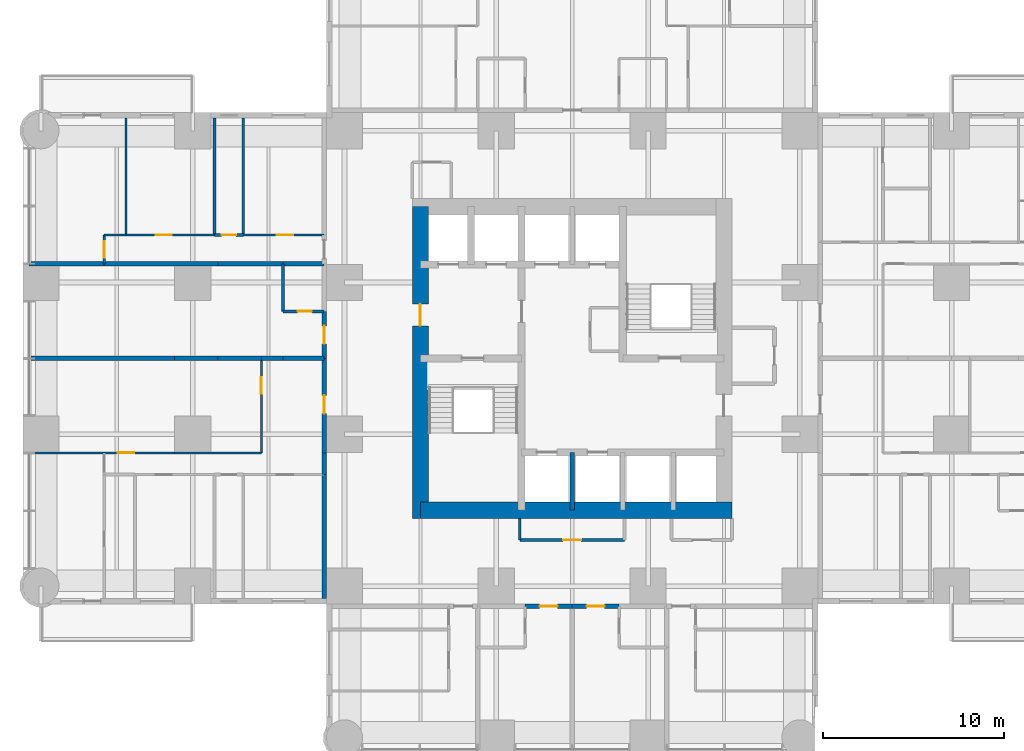
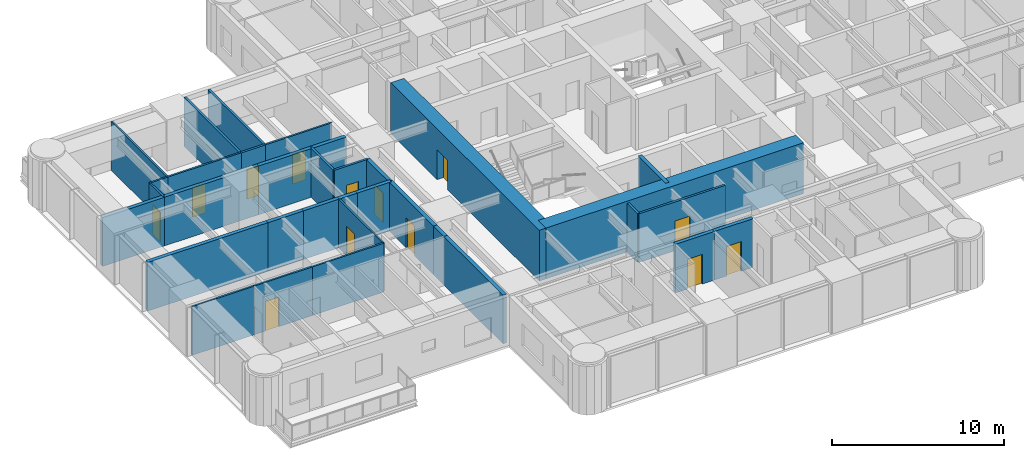
# One storey, part 7 of 14: 34 walls, 13 doors, 13 openings.
"""IFC4 building model written with IfcOpenShell, lengths in metres."""

from ifc_helpers import new_model, si_unit, direction, frame, frame_2d, origin, place, context, subcontext, project, spatial, rectangle, extrude, material, layer, layer_set, type_object, element, fill, save


model = new_model("IFC4")

# Units and contexts
model_context = context("Model", 3, precision=1e-05, world=origin(), true_north=direction((0.0, 1.0)))
body_context = subcontext(model_context, "Body", "Model", "MODEL_VIEW")
ifc_project = project(units=[si_unit("LENGTHUNIT", "METRE"), si_unit("AREAUNIT", "SQUARE_METRE"), si_unit("VOLUMEUNIT", "CUBIC_METRE"), si_unit("PLANEANGLEUNIT", "RADIAN"), si_unit("MASSUNIT", "GRAM", prefix="KILO")], contexts=[model_context])

# Site, building, storey
site_placement = place(None, origin())
site = spatial("IfcSite", under=ifc_project, at=site_placement, CompositionType="ELEMENT")
building_placement = place(site_placement, origin())
building = spatial("IfcBuilding", under=site, at=building_placement, Name="Torre Alcanfor", CompositionType="ELEMENT")
storey_placement = place(building_placement, frame((0.0, 0.0, 112.5)))
storey = spatial("IfcBuildingStorey", under=building, at=storey_placement, Name="L28", CompositionType="ELEMENT", Elevation=112.5)

# Wall, opening, door
ifc_material_1 = material(Name="Concrete block masonry, hollow blocks NMX-C-404 9 MPa", Category="masonry")
ifc_layer_1 = layer(ifc_material_1, 0.25)
ifc_layer_set_1 = layer_set([ifc_layer_1], Name="Apartment entrance wall 250 EI 60")
wall_type_1 = type_object("IfcWallType", Name="Apartment entrance wall 250 EI 60", PredefinedType="PARTITIONING", material=ifc_layer_set_1)
wall_1_placement = place(storey_placement, frame((32.0, 15.675048828125, 0.0), z_axis=(0.0, 0.0, 1.0), x_axis=(-1.0, 0.0, 0.0)))
wall_1 = element("IfcWall", 1, at=wall_1_placement, inside=storey, type_object=wall_type_1, Name="Partition L28-CORR / L28-S1A-STUDIO", PredefinedType="PARTITIONING", context=body_context, shape_type="SweptSolid", body=[
    extrude(rectangle(XDim=2.60009765625, YDim=0.25, at=frame_2d((1.300048828125, 0.0))), origin(), (0.0, 0.0, 1.0), 3.449951171875),
])
opening_1_placement = place(wall_1_placement, frame((0.800048828125, 0.0, 0.0)))
opening_1 = element("IfcOpeningElement", 2, at=opening_1_placement, cuts=wall_1, Name="Opening D-A1", PredefinedType="OPENING", context=body_context, shape_type="SweptSolid", body=[
    extrude(rectangle(XDim=1.0, YDim=2.10009765625, at=frame_2d((0.5, 1.050048828125))), frame((0.0, 0.135009765625, 0.0), z_axis=(0.0, -1.0, 0.0), x_axis=(1.0, 0.0, 0.0)), (0.0, 0.0, 1.0), 0.27001953125),
])
ifc_material_2 = material(Name="Galvanised steel sheet ASTM A653", Category="steel")
door_type_1 = type_object("IfcDoorType", Name="Apartment entrance door FD60 1000x2100", OperationType="SINGLE_SWING_LEFT", PredefinedType="DOOR", material=ifc_material_2)
door_1_placement = place(opening_1_placement, origin())
door_1 = element("IfcDoor", 3, at=door_1_placement, inside=storey, type_object=door_type_1, Name="Apartment entrance L28-S1A", OperationType="SINGLE_SWING_LEFT", OverallHeight=2.10009765625, OverallWidth=1.0, PredefinedType="DOOR", context=body_context, shape_type="SweptSolid", body=[
    extrude(rectangle(XDim=1.0, YDim=2.10009765625, at=frame_2d((0.5, 1.050048828125))), frame((0.0, 0.02490234375, 0.0), z_axis=(0.0, -1.0, 0.0), x_axis=(1.0, 0.0, 0.0)), (0.0, 0.0, 1.0), 0.050048828125),
])
fill(opening_1, door_1)

wall_2_placement = place(storey_placement, frame((29.39990234375, 15.675048828125, 0.0), z_axis=(0.0, 0.0, 1.0), x_axis=(-1.0, 0.0, 0.0)))
wall_2 = element("IfcWall", 4, at=wall_2_placement, inside=storey, type_object=wall_type_1, Name="Partition L28-CORR / L28-S2A-STUDIO", PredefinedType="PARTITIONING", context=body_context, shape_type="SweptSolid", body=[
    extrude(rectangle(XDim=2.599853515625, YDim=0.25, at=frame_2d((1.2998046875, 0.0))), origin(), (0.0, 0.0, 1.0), 3.449951171875),
])
opening_2_placement = place(wall_2_placement, frame((0.800048828125, 0.0, 0.0)))
opening_2 = element("IfcOpeningElement", 5, at=opening_2_placement, cuts=wall_2, Name="Opening D-A1", PredefinedType="OPENING", context=body_context, shape_type="SweptSolid", body=[
    extrude(rectangle(XDim=1.0, YDim=2.10009765625, at=frame_2d((0.5, 1.050048828125))), frame((0.0, 0.135009765625, 0.0), z_axis=(0.0, -1.0, 0.0), x_axis=(1.0, 0.0, 0.0)), (0.0, 0.0, 1.0), 0.27001953125),
])
door_2_placement = place(opening_2_placement, origin())
door_2 = element("IfcDoor", 6, at=door_2_placement, inside=storey, type_object=door_type_1, Name="Apartment entrance L28-S2A", OperationType="SINGLE_SWING_LEFT", OverallHeight=2.10009765625, OverallWidth=1.0, PredefinedType="DOOR", context=body_context, shape_type="SweptSolid", body=[
    extrude(rectangle(XDim=1.0, YDim=2.10009765625, at=frame_2d((0.5, 1.050048828125))), frame((0.0, 0.02490234375, 0.0), z_axis=(0.0, -1.0, 0.0), x_axis=(1.0, 0.0, 0.0)), (0.0, 0.0, 1.0), 0.050048828125),
])
fill(opening_2, door_2)

wall_3_placement = place(storey_placement, frame((15.675048828125, 24.1708984375, 0.0), z_axis=(0.0, 0.0, 1.0), x_axis=(0.0, 1.0, 0.0)))
wall_3 = element("IfcWall", 7, at=wall_3_placement, inside=storey, type_object=wall_type_1, Name="Partition L28-CORR / L28-W1-ZAG", PredefinedType="PARTITIONING", context=body_context, shape_type="SweptSolid", body=[
    extrude(rectangle(XDim=5.22900390625, YDim=0.25, at=frame_2d((2.614501953125, 0.0))), origin(), (0.0, 0.0, 1.0), 3.449951171875),
])
opening_3_placement = place(wall_3_placement, frame((2.178955078125, 0.0, 0.0)))
opening_3 = element("IfcOpeningElement", 8, at=opening_3_placement, cuts=wall_3, Name="Opening D-A1", PredefinedType="OPENING", context=body_context, shape_type="SweptSolid", body=[
    extrude(rectangle(XDim=1.0, YDim=2.10009765625, at=frame_2d((0.5, 1.050048828125))), frame((0.0, 0.135009765625, 0.0), z_axis=(0.0, -1.0, 0.0), x_axis=(1.0, 0.0, 0.0)), (0.0, 0.0, 1.0), 0.27001953125),
])
door_3_placement = place(opening_3_placement, origin())
door_3 = element("IfcDoor", 9, at=door_3_placement, inside=storey, type_object=door_type_1, Name="Apartment entrance L28-W1", OperationType="SINGLE_SWING_RIGHT", OverallHeight=2.10009765625, OverallWidth=1.0, PredefinedType="DOOR", context=body_context, shape_type="SweptSolid", body=[
    extrude(rectangle(XDim=1.0, YDim=2.10009765625, at=frame_2d((0.5, 1.050048828125))), frame((0.0, 0.02490234375, 0.0), z_axis=(0.0, -1.0, 0.0), x_axis=(1.0, 0.0, 0.0)), (0.0, 0.0, 1.0), 0.050048828125),
])
fill(opening_3, door_3)

# Walls
wall_4_placement = place(storey_placement, frame((15.675048828125, 22.970947265625, 0.0), z_axis=(0.0, 0.0, 1.0), x_axis=(0.0, 1.0, 0.0)))
element("IfcWall", 10, at=wall_4_placement, inside=storey, type_object=wall_type_1, Name="Partition L28-CORR / L28-W1-HALL", PredefinedType="PARTITIONING", context=body_context, shape_type="SweptSolid", body=[
    extrude(rectangle(XDim=1.199951171875, YDim=0.25, at=frame_2d((0.60009765625, 0.0))), origin(), (0.0, 0.0, 1.0), 3.449951171875),
])
wall_5_placement = place(storey_placement, frame((15.675048828125, 16.10009765625, 0.0), z_axis=(0.0, 0.0, 1.0), x_axis=(0.0, 1.0, 0.0)))
element("IfcWall", 11, at=wall_5_placement, inside=storey, type_object=wall_type_1, Name="Partition L28-CORR / L28-W1-BED3", PredefinedType="PARTITIONING", context=body_context, shape_type="SweptSolid", body=[
    extrude(rectangle(XDim=6.870849609375, YDim=0.25, at=frame_2d((3.435546875, 0.0))), origin(), (0.0, 0.0, 1.0), 3.449951171875),
])

# Wall, opening, door
wall_6_placement = place(storey_placement, frame((15.675048828125, 29.39990234375, 0.0), z_axis=(0.0, 0.0, 1.0), x_axis=(0.0, 1.0, 0.0)))
wall_6 = element("IfcWall", 12, at=wall_6_placement, inside=storey, type_object=wall_type_1, Name="Partition L28-CORR / L28-W2A-FOYER", PredefinedType="PARTITIONING", context=body_context, shape_type="SweptSolid", body=[
    extrude(rectangle(XDim=2.60009765625, YDim=0.25, at=frame_2d((1.300048828125, 0.0))), origin(), (0.0, 0.0, 1.0), 3.449951171875),
])
opening_4_placement = place(wall_6_placement, frame((0.800048828125, 0.0, 0.0)))
opening_4 = element("IfcOpeningElement", 13, at=opening_4_placement, cuts=wall_6, Name="Opening D-A1", PredefinedType="OPENING", context=body_context, shape_type="SweptSolid", body=[
    extrude(rectangle(XDim=1.0, YDim=2.10009765625, at=frame_2d((0.5, 1.050048828125))), frame((0.0, 0.135009765625, 0.0), z_axis=(0.0, -1.0, 0.0), x_axis=(1.0, 0.0, 0.0)), (0.0, 0.0, 1.0), 0.27001953125),
])
door_4_placement = place(opening_4_placement, origin())
door_4 = element("IfcDoor", 14, at=door_4_placement, inside=storey, type_object=door_type_1, Name="Apartment entrance L28-W2A", OperationType="SINGLE_SWING_LEFT", OverallHeight=2.10009765625, OverallWidth=1.0, PredefinedType="DOOR", context=body_context, shape_type="SweptSolid", body=[
    extrude(rectangle(XDim=1.0, YDim=2.10009765625, at=frame_2d((0.5, 1.050048828125))), frame((0.0, 0.02490234375, 0.0), z_axis=(0.0, -1.0, 0.0), x_axis=(1.0, 0.0, 0.0)), (0.0, 0.0, 1.0), 0.050048828125),
])
fill(opening_4, door_4)

ifc_material_3 = material(Name="Gypsum board on steel studs", Category="steel")
ifc_layer_2 = layer(ifc_material_3, 0.1201171875)
ifc_layer_set_2 = layer_set([ifc_layer_2], Name="Apartment partition 120")
wall_type_2 = type_object("IfcWallType", Name="Apartment partition 120", PredefinedType="PARTITIONING", material=ifc_layer_set_2)
wall_7_placement = place(storey_placement, frame((12.199951171875, 29.39990234375, 0.0), z_axis=(0.0, 0.0, 1.0), x_axis=(0.0, -1.0, 0.0)))
wall_7 = element("IfcWall", 15, at=wall_7_placement, inside=storey, type_object=wall_type_2, Name="Partition L28-W1-ZAG / L28-W1-KITCHEN", PredefinedType="PARTITIONING", context=body_context, shape_type="SweptSolid", body=[
    extrude(rectangle(XDim=5.22900390625, YDim=0.1201171875, at=frame_2d((2.614501953125, 0.0))), origin(), (0.0, 0.0, 1.0), 3.449951171875),
])
opening_5_placement = place(wall_7_placement, frame((1.050048828125, 0.0, 0.0)))
opening_5 = element("IfcOpeningElement", 16, at=opening_5_placement, cuts=wall_7, Name="Opening D-R1", PredefinedType="OPENING", context=body_context, shape_type="SweptSolid", body=[
    extrude(rectangle(XDim=0.89990234375, YDim=2.10009765625, at=frame_2d((0.449951171875, 1.050048828125))), frame((0.0, 0.070068359375, 0.0), z_axis=(0.0, -1.0, 0.0), x_axis=(1.0, 0.0, 0.0)), (0.0, 0.0, 1.0), 0.14013671875),
])
ifc_material_4 = material(Name="Timber", Category="wood")
door_type_2 = type_object("IfcDoorType", Name="Internal door 900x2100", OperationType="SINGLE_SWING_LEFT", PredefinedType="DOOR", material=ifc_material_4)
door_5_placement = place(opening_5_placement, frame((0.89990234375, 0.0, 0.0), z_axis=(0.0, 0.0, 1.0), x_axis=(-1.0, 0.0, 0.0)))
door_5 = element("IfcDoor", 17, at=door_5_placement, inside=storey, type_object=door_type_2, Name="Door L28-W1 kitchen", OperationType="SINGLE_SWING_RIGHT", OverallHeight=2.10009765625, OverallWidth=0.89990234375, PredefinedType="DOOR", context=body_context, shape_type="SweptSolid", body=[
    extrude(rectangle(XDim=0.89990234375, YDim=2.10009765625, at=frame_2d((0.449951171875, 1.050048828125))), frame((0.0, 0.025146484375, 0.0), z_axis=(0.0, -1.0, 0.0), x_axis=(1.0, 0.0, 0.0)), (0.0, 0.0, 1.0), 0.050048828125),
])
fill(opening_5, door_5)

# Wall
wall_8_placement = place(storey_placement, frame((7.39990234375, 24.1708984375, 0.0), z_axis=(0.0, 0.0, 1.0), x_axis=(1.0, 0.0, 0.0)))
element("IfcWall", 18, at=wall_8_placement, inside=storey, type_object=wall_type_2, Name="Partition L28-W1-KITCHEN / L28-W1-HALL", PredefinedType="PARTITIONING", context=body_context, shape_type="SweptSolid", body=[
    extrude(rectangle(XDim=4.800048828125, YDim=0.1201171875, at=frame_2d((2.39990234375, 0.0))), origin(), (0.0, 0.0, 1.0), 3.449951171875),
])

# Wall, opening, door
wall_9_placement = place(storey_placement, frame((3.5, 24.1708984375, 0.0), z_axis=(0.0, 0.0, 1.0), x_axis=(1.0, 0.0, 0.0)))
wall_9 = element("IfcWall", 19, at=wall_9_placement, inside=storey, type_object=wall_type_2, Name="Partition L28-W1-LIVING / L28-W1-HALL", PredefinedType="PARTITIONING", context=body_context, shape_type="SweptSolid", body=[
    extrude(rectangle(XDim=3.89990234375, YDim=0.1201171875, at=frame_2d((1.949951171875, 0.0))), origin(), (0.0, 0.0, 1.0), 3.449951171875),
])
opening_6_placement = place(wall_9_placement, frame((0.75, 0.0, 0.0)))
opening_6 = element("IfcOpeningElement", 20, at=opening_6_placement, cuts=wall_9, Name="Opening D-R1", PredefinedType="OPENING", context=body_context, shape_type="SweptSolid", body=[
    extrude(rectangle(XDim=0.89990234375, YDim=2.10009765625, at=frame_2d((0.449951171875, 1.050048828125))), frame((0.0, 0.070068359375, 0.0), z_axis=(0.0, -1.0, 0.0), x_axis=(1.0, 0.0, 0.0)), (0.0, 0.0, 1.0), 0.14013671875),
])
door_6_placement = place(opening_6_placement, origin())
door_6 = element("IfcDoor", 21, at=door_6_placement, inside=storey, type_object=door_type_2, Name="Door L28-W1 living", OperationType="SINGLE_SWING_RIGHT", OverallHeight=2.10009765625, OverallWidth=0.89990234375, PredefinedType="DOOR", context=body_context, shape_type="SweptSolid", body=[
    extrude(rectangle(XDim=0.89990234375, YDim=2.10009765625, at=frame_2d((0.449951171875, 1.050048828125))), frame((0.0, 0.02490234375, 0.0), z_axis=(0.0, -1.0, 0.0), x_axis=(1.0, 0.0, 0.0)), (0.0, 0.0, 1.0), 0.050048828125),
])
fill(opening_6, door_6)

# Wall
wall_10_placement = place(storey_placement, frame((-0.64990234375, 24.1708984375, 0.0), z_axis=(0.0, 0.0, 1.0), x_axis=(1.0, 0.0, 0.0)))
element("IfcWall", 22, at=wall_10_placement, inside=storey, type_object=wall_type_2, Name="Partition L28-W1-LIVING / L28-W1-MASTER", PredefinedType="PARTITIONING", context=body_context, shape_type="SweptSolid", body=[
    extrude(rectangle(XDim=4.14990234375, YDim=0.1201171875, at=frame_2d((2.074951171875, 0.0))), origin(), (0.0, 0.0, 1.0), 3.449951171875),
])

# Wall, opening, door
wall_11_placement = place(storey_placement, frame((11.199951171875, 36.22900390625, 0.0), z_axis=(0.0, 0.0, 1.0), x_axis=(1.0, 0.0, 0.0)))
wall_11 = element("IfcWall", 23, at=wall_11_placement, inside=storey, type_object=wall_type_2, Name="Partition L28-W2B-HALL / L28-W2B-BED2", PredefinedType="PARTITIONING", context=body_context, shape_type="SweptSolid", body=[
    extrude(rectangle(XDim=4.47509765625, YDim=0.1201171875, at=frame_2d((2.237548828125, 0.0))), origin(), (0.0, 0.0, 1.0), 3.449951171875),
])
opening_7_placement = place(wall_11_placement, frame((1.85009765625, 0.0, 0.0)))
opening_7 = element("IfcOpeningElement", 24, at=opening_7_placement, cuts=wall_11, Name="Opening D-R1", PredefinedType="OPENING", context=body_context, shape_type="SweptSolid", body=[
    extrude(rectangle(XDim=0.89990234375, YDim=2.10009765625, at=frame_2d((0.449951171875, 1.050048828125))), frame((0.0, 0.070068359375, 0.0), z_axis=(0.0, -1.0, 0.0), x_axis=(1.0, 0.0, 0.0)), (0.0, 0.0, 1.0), 0.14013671875),
])
door_7_placement = place(opening_7_placement, origin())
door_7 = element("IfcDoor", 25, at=door_7_placement, inside=storey, type_object=door_type_2, Name="Door L28-W2B bed2", OperationType="SINGLE_SWING_RIGHT", OverallHeight=2.10009765625, OverallWidth=0.89990234375, PredefinedType="DOOR", context=body_context, shape_type="SweptSolid", body=[
    extrude(rectangle(XDim=0.89990234375, YDim=2.10009765625, at=frame_2d((0.449951171875, 1.050048828125))), frame((0.0, 0.02490234375, 0.0), z_axis=(0.0, -1.0, 0.0), x_axis=(1.0, 0.0, 0.0)), (0.0, 0.0, 1.0), 0.050048828125),
])
fill(opening_7, door_7)

wall_12_placement = place(storey_placement, frame((4.699951171875, 36.22900390625, 0.0), z_axis=(0.0, 0.0, 1.0), x_axis=(1.0, 0.0, 0.0)))
wall_12 = element("IfcWall", 26, at=wall_12_placement, inside=storey, type_object=wall_type_2, Name="Partition L28-W2B-HALL / L28-W2B-MASTER", PredefinedType="PARTITIONING", context=body_context, shape_type="SweptSolid", body=[
    extrude(rectangle(XDim=4.900146484375, YDim=0.1201171875, at=frame_2d((2.4501953125, 0.0))), origin(), (0.0, 0.0, 1.0), 3.449951171875),
])
opening_8_placement = place(wall_12_placement, frame((1.64990234375, 0.0, 0.0)))
opening_8 = element("IfcOpeningElement", 27, at=opening_8_placement, cuts=wall_12, Name="Opening D-R1", PredefinedType="OPENING", context=body_context, shape_type="SweptSolid", body=[
    extrude(rectangle(XDim=0.89990234375, YDim=2.10009765625, at=frame_2d((0.449951171875, 1.050048828125))), frame((0.0, 0.070068359375, 0.0), z_axis=(0.0, -1.0, 0.0), x_axis=(1.0, 0.0, 0.0)), (0.0, 0.0, 1.0), 0.14013671875),
])
door_8_placement = place(opening_8_placement, origin())
door_8 = element("IfcDoor", 28, at=door_8_placement, inside=storey, type_object=door_type_2, Name="Door L28-W2B master", OperationType="SINGLE_SWING_LEFT", OverallHeight=2.10009765625, OverallWidth=0.89990234375, PredefinedType="DOOR", context=body_context, shape_type="SweptSolid", body=[
    extrude(rectangle(XDim=0.89990234375, YDim=2.10009765625, at=frame_2d((0.449951171875, 1.050048828125))), frame((0.0, 0.02490234375, 0.0), z_axis=(0.0, -1.0, 0.0), x_axis=(1.0, 0.0, 0.0)), (0.0, 0.0, 1.0), 0.050048828125),
])
fill(opening_8, door_8)

# Wall
wall_13_placement = place(storey_placement, frame((3.5, 36.22900390625, 0.0), z_axis=(0.0, 0.0, 1.0), x_axis=(1.0, 0.0, 0.0)))
element("IfcWall", 29, at=wall_13_placement, inside=storey, type_object=wall_type_2, Name="Partition L28-W2B-HALL / L28-W2B-KITCHEN", PredefinedType="PARTITIONING", context=body_context, shape_type="SweptSolid", body=[
    extrude(rectangle(XDim=1.199951171875, YDim=0.1201171875, at=frame_2d((0.60009765625, 0.0))), origin(), (0.0, 0.0, 1.0), 3.449951171875),
])

# Wall, opening, door
wall_14_placement = place(storey_placement, frame((3.5, 34.62890625, 0.0), z_axis=(0.0, 0.0, 1.0), x_axis=(0.0, 1.0, 0.0)))
wall_14 = element("IfcWall", 30, at=wall_14_placement, inside=storey, type_object=wall_type_2, Name="Partition L28-W2B-HALL / L28-W2B-LIVING", PredefinedType="PARTITIONING", context=body_context, shape_type="SweptSolid", body=[
    extrude(rectangle(XDim=1.60009765625, YDim=0.1201171875, at=frame_2d((0.800048828125, 0.0))), origin(), (0.0, 0.0, 1.0), 3.449951171875),
])
opening_9_placement = place(wall_14_placement, frame((0.35009765625, 0.0, 0.0)))
opening_9 = element("IfcOpeningElement", 31, at=opening_9_placement, cuts=wall_14, Name="Opening D-R1", PredefinedType="OPENING", context=body_context, shape_type="SweptSolid", body=[
    extrude(rectangle(XDim=0.89990234375, YDim=2.10009765625, at=frame_2d((0.449951171875, 1.050048828125))), frame((0.0, 0.070068359375, 0.0), z_axis=(0.0, -1.0, 0.0), x_axis=(1.0, 0.0, 0.0)), (0.0, 0.0, 1.0), 0.14013671875),
])
door_9_placement = place(opening_9_placement, origin())
door_9 = element("IfcDoor", 32, at=door_9_placement, inside=storey, type_object=door_type_2, Name="Door L28-W2B living", OperationType="SINGLE_SWING_LEFT", OverallHeight=2.10009765625, OverallWidth=0.89990234375, PredefinedType="DOOR", context=body_context, shape_type="SweptSolid", body=[
    extrude(rectangle(XDim=0.89990234375, YDim=2.10009765625, at=frame_2d((0.449951171875, 1.050048828125))), frame((0.0, 0.02490234375, 0.0), z_axis=(0.0, -1.0, 0.0), x_axis=(1.0, 0.0, 0.0)), (0.0, 0.0, 1.0), 0.050048828125),
])
fill(opening_9, door_9)

# Walls
wall_15_placement = place(storey_placement, frame((4.699951171875, 36.22900390625, 0.0), z_axis=(0.0, 0.0, 1.0), x_axis=(0.0, 1.0, 0.0)))
element("IfcWall", 33, at=wall_15_placement, inside=storey, type_object=wall_type_2, Name="Partition L28-W2B-MASTER / L28-W2B-KITCHEN", PredefinedType="PARTITIONING", context=body_context, shape_type="SweptSolid", body=[
    extrude(rectangle(XDim=6.470947265625, YDim=0.1201171875, at=frame_2d((3.2353515625, 0.0))), origin(), (0.0, 0.0, 1.0), 3.449951171875),
])
ifc_material_5 = material(Name="Concrete f'c 70 MPa", Category="concrete")
ifc_layer_3 = layer(ifc_material_5, 0.25)
ifc_layer_set_3 = layer_set([ifc_layer_3], Name="Core shaft wall 250 f'c70")
wall_type_3 = type_object("IfcWallType", Name="Core shaft wall 250 f'c70", PredefinedType="SHEAR", material=ifc_layer_set_3)
wall_16_placement = place(storey_placement, frame((29.39990234375, 21.0, 0.0), z_axis=(0.0, 0.0, 1.0), x_axis=(0.0, 1.0, 0.0)))
element("IfcWall", 34, at=wall_16_placement, inside=storey, type_object=wall_type_3, Name="Core wall X294S L28", PredefinedType="SHEAR", context=body_context, shape_type="SweptSolid", body=[
    extrude(rectangle(XDim=3.199951171875, YDim=0.25, at=frame_2d((1.60009765625, 0.0))), origin(), (0.0, 0.0, 1.0), 3.60009765625),
])
ifc_material_6 = material(Name="Concrete f'c 70 MPa", Category="concrete")
ifc_layer_4 = layer(ifc_material_6, 0.89990234375)
ifc_layer_set_4 = layer_set([ifc_layer_4], Name="Core wall 900 f'c70")
wall_type_4 = type_object("IfcWallType", Name="Core wall 900 f'c70", PredefinedType="SHEAR", material=ifc_layer_set_4)
wall_17_placement = place(storey_placement, frame((21.0, 21.0, 0.0), z_axis=(0.0, 0.0, 1.0), x_axis=(1.0, 0.0, 0.0)))
element("IfcWall", 35, at=wall_17_placement, inside=storey, type_object=wall_type_4, Name="Core wall OUT-S L28", PredefinedType="SHEAR", context=body_context, shape_type="SweptSolid", body=[
    extrude(rectangle(XDim=17.25, YDim=0.89990234375, at=frame_2d((8.625, 0.0))), origin(), (0.0, 0.0, 1.0), 3.60009765625),
])

# Wall, opening, door
wall_18_placement = place(storey_placement, frame((21.0, 37.800048828125, 0.0), z_axis=(0.0, 0.0, 1.0), x_axis=(0.0, -1.0, 0.0)))
wall_18 = element("IfcWall", 36, at=wall_18_placement, inside=storey, type_object=wall_type_4, Name="Core wall OUT-W L28", PredefinedType="SHEAR", context=body_context, shape_type="SweptSolid", body=[
    extrude(rectangle(XDim=17.25, YDim=0.89990234375, at=frame_2d((8.625, 0.0))), origin(), (0.0, 0.0, 1.0), 3.60009765625),
])
opening_10_placement = place(wall_18_placement, frame((5.39990234375, 0.0, 0.0)))
opening_10 = element("IfcOpeningElement", 37, at=opening_10_placement, cuts=wall_18, Name="Opening D-L1", PredefinedType="OPENING", context=body_context, shape_type="SweptSolid", body=[
    extrude(rectangle(XDim=1.199951171875, YDim=2.10009765625, at=frame_2d((0.60009765625, 1.050048828125))), frame((0.0, 0.4599609375, 0.0), z_axis=(0.0, -1.0, 0.0), x_axis=(1.0, 0.0, 0.0)), (0.0, 0.0, 1.0), 0.919921875),
])
ifc_material_7 = material(Name="Galvanised steel sheet ASTM A653", Category="steel")
door_type_3 = type_object("IfcDoorType", Name="Lobby door FD120 1200x2100", OperationType="SINGLE_SWING_LEFT", PredefinedType="DOOR", material=ifc_material_7)
door_10_placement = place(opening_10_placement, origin())
door_10 = element("IfcDoor", 38, at=door_10_placement, inside=storey, type_object=door_type_3, Name="Firefighting lobby door L28", OperationType="SINGLE_SWING_LEFT", OverallHeight=2.10009765625, OverallWidth=1.199951171875, PredefinedType="DOOR", context=body_context, shape_type="SweptSolid", body=[
    extrude(rectangle(XDim=1.199951171875, YDim=2.10009765625, at=frame_2d((0.60009765625, 1.050048828125))), frame((0.0, 0.02490234375, 0.0), z_axis=(0.0, -1.0, 0.0), x_axis=(1.0, 0.0, 0.0)), (0.0, 0.0, 1.0), 0.050048828125),
])
fill(opening_10, door_10)

# Walls
ifc_material_8 = material(Name="Concrete block masonry, hollow blocks NMX-C-404 9 MPa", Category="masonry")
ifc_layer_5 = layer(ifc_material_8, 0.25)
ifc_layer_set_5 = layer_set([ifc_layer_5], Name="Party wall 250 EI 60")
wall_type_5 = type_object("IfcWallType", Name="Party wall 250 EI 60", PredefinedType="PARTITIONING", material=ifc_layer_set_5)
wall_19_placement = place(storey_placement, frame((15.675048828125, 29.39990234375, 0.0), z_axis=(0.0, 0.0, 1.0), x_axis=(-1.0, 0.0, 0.0)))
element("IfcWall", 39, at=wall_19_placement, inside=storey, type_object=wall_type_5, Name="Partition L28-W1-ZAG / L28-W2A-FOYER", PredefinedType="PARTITIONING", context=body_context, shape_type="SweptSolid", body=[
    extrude(rectangle(XDim=2.275146484375, YDim=0.25, at=frame_2d((1.1376953125, 0.0))), origin(), (0.0, 0.0, 1.0), 3.449951171875),
])
wall_20_placement = place(storey_placement, frame((13.39990234375, 29.39990234375, 0.0), z_axis=(0.0, 0.0, 1.0), x_axis=(-1.0, 0.0, 0.0)))
element("IfcWall", 40, at=wall_20_placement, inside=storey, type_object=wall_type_5, Name="Partition L28-W1-ZAG / L28-W2A-KITCHEN", PredefinedType="PARTITIONING", context=body_context, shape_type="SweptSolid", body=[
    extrude(rectangle(XDim=1.199951171875, YDim=0.25, at=frame_2d((0.60009765625, 0.0))), origin(), (0.0, 0.0, 1.0), 3.449951171875),
])
wall_21_placement = place(storey_placement, frame((12.199951171875, 29.39990234375, 0.0), z_axis=(0.0, 0.0, 1.0), x_axis=(-1.0, 0.0, 0.0)))
element("IfcWall", 41, at=wall_21_placement, inside=storey, type_object=wall_type_5, Name="Partition L28-W1-KITCHEN / L28-W2A-KITCHEN", PredefinedType="PARTITIONING", context=body_context, shape_type="SweptSolid", body=[
    extrude(rectangle(XDim=2.39990234375, YDim=0.25, at=frame_2d((1.199951171875, 0.0))), origin(), (0.0, 0.0, 1.0), 3.449951171875),
])
wall_22_placement = place(storey_placement, frame((9.800048828125, 29.39990234375, 0.0), z_axis=(0.0, 0.0, 1.0), x_axis=(-1.0, 0.0, 0.0)))
element("IfcWall", 42, at=wall_22_placement, inside=storey, type_object=wall_type_5, Name="Partition L28-W1-KITCHEN / L28-W2A-STUDIO", PredefinedType="PARTITIONING", context=body_context, shape_type="SweptSolid", body=[
    extrude(rectangle(XDim=2.400146484375, YDim=0.25, at=frame_2d((1.2001953125, 0.0))), origin(), (0.0, 0.0, 1.0), 3.449951171875),
])
wall_23_placement = place(storey_placement, frame((7.39990234375, 29.39990234375, 0.0), z_axis=(0.0, 0.0, 1.0), x_axis=(-1.0, 0.0, 0.0)))
element("IfcWall", 43, at=wall_23_placement, inside=storey, type_object=wall_type_5, Name="Partition L28-W1-LIVING / L28-W2A-STUDIO", PredefinedType="PARTITIONING", context=body_context, shape_type="SweptSolid", body=[
    extrude(rectangle(XDim=8.0498046875, YDim=0.25, at=frame_2d((4.02490234375, 0.0))), origin(), (0.0, 0.0, 1.0), 3.449951171875),
])
wall_24_placement = place(storey_placement, frame((13.39990234375, 34.62890625, 0.0), z_axis=(0.0, 0.0, 1.0), x_axis=(1.0, 0.0, 0.0)))
element("IfcWall", 44, at=wall_24_placement, inside=storey, type_object=wall_type_5, Name="Partition L28-W2A-BATH / L28-W2B-HALL", PredefinedType="PARTITIONING", context=body_context, shape_type="SweptSolid", body=[
    extrude(rectangle(XDim=2.275146484375, YDim=0.25, at=frame_2d((1.1376953125, 0.0))), origin(), (0.0, 0.0, 1.0), 3.449951171875),
])
wall_25_placement = place(storey_placement, frame((9.800048828125, 34.62890625, 0.0), z_axis=(0.0, 0.0, 1.0), x_axis=(1.0, 0.0, 0.0)))
element("IfcWall", 45, at=wall_25_placement, inside=storey, type_object=wall_type_5, Name="Partition L28-W2A-KITCHEN / L28-W2B-HALL", PredefinedType="PARTITIONING", context=body_context, shape_type="SweptSolid", body=[
    extrude(rectangle(XDim=3.599853515625, YDim=0.25, at=frame_2d((1.7998046875, 0.0))), origin(), (0.0, 0.0, 1.0), 3.449951171875),
])
wall_26_placement = place(storey_placement, frame((3.5, 34.62890625, 0.0), z_axis=(0.0, 0.0, 1.0), x_axis=(1.0, 0.0, 0.0)))
element("IfcWall", 46, at=wall_26_placement, inside=storey, type_object=wall_type_5, Name="Partition L28-W2A-STUDIO / L28-W2B-HALL", PredefinedType="PARTITIONING", context=body_context, shape_type="SweptSolid", body=[
    extrude(rectangle(XDim=6.300048828125, YDim=0.25, at=frame_2d((3.14990234375, 0.0))), origin(), (0.0, 0.0, 1.0), 3.449951171875),
])
wall_27_placement = place(storey_placement, frame((-0.64990234375, 34.62890625, 0.0), z_axis=(0.0, 0.0, 1.0), x_axis=(1.0, 0.0, 0.0)))
element("IfcWall", 47, at=wall_27_placement, inside=storey, type_object=wall_type_5, Name="Partition L28-W2A-STUDIO / L28-W2B-LIVING", PredefinedType="PARTITIONING", context=body_context, shape_type="SweptSolid", body=[
    extrude(rectangle(XDim=4.14990234375, YDim=0.25, at=frame_2d((2.074951171875, 0.0))), origin(), (0.0, 0.0, 1.0), 3.449951171875),
])
ifc_material_9 = material(Name="Concrete block masonry, hollow blocks NMX-C-404 9 MPa", Category="masonry")
ifc_layer_6 = layer(ifc_material_9, 0.14990234375)
ifc_layer_set_6 = layer_set([ifc_layer_6], Name="Residents' room partition 150")
wall_type_6 = type_object("IfcWallType", Name="Residents' room partition 150", PredefinedType="PARTITIONING", material=ifc_layer_set_6)
wall_28_placement = place(storey_placement, frame((26.5, 20.550048828125, 0.0), z_axis=(0.0, 0.0, 1.0), x_axis=(0.0, -1.0, 0.0)))
element("IfcWall", 48, at=wall_28_placement, inside=storey, type_object=wall_type_6, Name="Partition L28-CORR / L28-G03", PredefinedType="PARTITIONING", context=body_context, shape_type="SweptSolid", body=[
    extrude(rectangle(XDim=1.199951171875, YDim=0.14990234375, at=frame_2d((0.60009765625, 0.0))), origin(), (0.0, 0.0, 1.0), 3.449951171875),
])

# Wall, opening, door
wall_29_placement = place(storey_placement, frame((26.5, 19.35009765625, 0.0), z_axis=(0.0, 0.0, 1.0), x_axis=(1.0, 0.0, 0.0)))
wall_29 = element("IfcWall", 49, at=wall_29_placement, inside=storey, type_object=wall_type_6, Name="Partition L28-CORR / L28-G03", PredefinedType="PARTITIONING", context=body_context, shape_type="SweptSolid", body=[
    extrude(rectangle(XDim=5.800048828125, YDim=0.14990234375, at=frame_2d((2.89990234375, 0.0))), origin(), (0.0, 0.0, 1.0), 3.449951171875),
])
opening_11_placement = place(wall_29_placement, frame((2.39990234375, 0.0, 0.0)))
opening_11 = element("IfcOpeningElement", 50, at=opening_11_placement, cuts=wall_29, Name="Opening D-M1", PredefinedType="OPENING", context=body_context, shape_type="SweptSolid", body=[
    extrude(rectangle(XDim=1.0, YDim=2.10009765625, at=frame_2d((0.5, 1.050048828125))), frame((0.0, 0.0849609375, 0.0), z_axis=(0.0, -1.0, 0.0), x_axis=(1.0, 0.0, 0.0)), (0.0, 0.0, 1.0), 0.169921875),
])
ifc_material_10 = material(Name="Timber", Category="wood")
door_type_4 = type_object("IfcDoorType", Name="Residents' room door 1000x2100", OperationType="SINGLE_SWING_LEFT", PredefinedType="DOOR", material=ifc_material_10)
door_11_placement = place(opening_11_placement, origin())
door_11 = element("IfcDoor", 51, at=door_11_placement, inside=storey, type_object=door_type_4, Name="Door L28-G03 pram and buggy store", OperationType="SINGLE_SWING_LEFT", OverallHeight=2.10009765625, OverallWidth=1.0, PredefinedType="DOOR", context=body_context, shape_type="SweptSolid", body=[
    extrude(rectangle(XDim=1.0, YDim=2.10009765625, at=frame_2d((0.5, 1.050048828125))), frame((0.0, 0.02490234375, 0.0), z_axis=(0.0, -1.0, 0.0), x_axis=(1.0, 0.0, 0.0)), (0.0, 0.0, 1.0), 0.050048828125),
])
fill(opening_11, door_11)

ifc_material_11 = material(Name="Cement board on steel studs", Category="steel")
ifc_layer_7 = layer(ifc_material_11, 0.14990234375)
ifc_layer_set_7 = layer_set([ifc_layer_7], Name="Wet area partition 150")
wall_type_7 = type_object("IfcWallType", Name="Wet area partition 150", PredefinedType="PARTITIONING", material=ifc_layer_set_7)
wall_30_placement = place(storey_placement, frame((13.39990234375, 32.0, 0.0), z_axis=(0.0, 0.0, 1.0), x_axis=(1.0, 0.0, 0.0)))
wall_30 = element("IfcWall", 52, at=wall_30_placement, inside=storey, type_object=wall_type_7, Name="Partition L28-W2A-FOYER / L28-W2A-BATH", PredefinedType="PARTITIONING", context=body_context, shape_type="SweptSolid", body=[
    extrude(rectangle(XDim=2.275146484375, YDim=0.14990234375, at=frame_2d((1.1376953125, 0.0))), origin(), (0.0, 0.0, 1.0), 3.449951171875),
])
opening_12_placement = place(wall_30_placement, frame((0.800048828125, 0.0, 0.0)))
opening_12 = element("IfcOpeningElement", 53, at=opening_12_placement, cuts=wall_30, Name="Opening D-R2", PredefinedType="OPENING", context=body_context, shape_type="SweptSolid", body=[
    extrude(rectangle(XDim=0.800048828125, YDim=2.10009765625, at=frame_2d((0.39990234375, 1.050048828125))), frame((0.0, 0.0849609375, 0.0), z_axis=(0.0, -1.0, 0.0), x_axis=(1.0, 0.0, 0.0)), (0.0, 0.0, 1.0), 0.169921875),
])
ifc_material_12 = material(Name="Timber", Category="wood")
door_type_5 = type_object("IfcDoorType", Name="Bathroom door 800x2100", OperationType="SINGLE_SWING_LEFT", PredefinedType="DOOR", material=ifc_material_12)
door_12_placement = place(opening_12_placement, origin())
door_12 = element("IfcDoor", 54, at=door_12_placement, inside=storey, type_object=door_type_5, Name="Door L28-W2A bath", OperationType="SINGLE_SWING_RIGHT", OverallHeight=2.10009765625, OverallWidth=0.800048828125, PredefinedType="DOOR", context=body_context, shape_type="SweptSolid", body=[
    extrude(rectangle(XDim=0.800048828125, YDim=2.10009765625, at=frame_2d((0.39990234375, 1.050048828125))), frame((0.0, 0.02490234375, 0.0), z_axis=(0.0, -1.0, 0.0), x_axis=(1.0, 0.0, 0.0)), (0.0, 0.0, 1.0), 0.050048828125),
])
fill(opening_12, door_12)

# Wall
wall_31_placement = place(storey_placement, frame((13.39990234375, 32.0, 0.0), z_axis=(0.0, 0.0, 1.0), x_axis=(0.0, 1.0, 0.0)))
element("IfcWall", 55, at=wall_31_placement, inside=storey, type_object=wall_type_7, Name="Partition L28-W2A-BATH / L28-W2A-KITCHEN", PredefinedType="PARTITIONING", context=body_context, shape_type="SweptSolid", body=[
    extrude(rectangle(XDim=2.62890625, YDim=0.14990234375, at=frame_2d((1.314453125, 0.0))), origin(), (0.0, 0.0, 1.0), 3.449951171875),
])

# Wall, opening, door
wall_32_placement = place(storey_placement, frame((9.60009765625, 36.22900390625, 0.0), z_axis=(0.0, 0.0, 1.0), x_axis=(1.0, 0.0, 0.0)))
wall_32 = element("IfcWall", 56, at=wall_32_placement, inside=storey, type_object=wall_type_7, Name="Partition L28-W2B-HALL / L28-W2B-BATH", PredefinedType="PARTITIONING", context=body_context, shape_type="SweptSolid", body=[
    extrude(rectangle(XDim=1.599853515625, YDim=0.14990234375, at=frame_2d((0.7998046875, 0.0))), origin(), (0.0, 0.0, 1.0), 3.449951171875),
])
opening_13_placement = place(wall_32_placement, frame((0.39990234375, 0.0, 0.0)))
opening_13 = element("IfcOpeningElement", 57, at=opening_13_placement, cuts=wall_32, Name="Opening D-R2", PredefinedType="OPENING", context=body_context, shape_type="SweptSolid", body=[
    extrude(rectangle(XDim=0.800048828125, YDim=2.10009765625, at=frame_2d((0.39990234375, 1.050048828125))), frame((0.0, 0.0849609375, 0.0), z_axis=(0.0, -1.0, 0.0), x_axis=(1.0, 0.0, 0.0)), (0.0, 0.0, 1.0), 0.169921875),
])
door_13_placement = place(opening_13_placement, origin())
door_13 = element("IfcDoor", 58, at=door_13_placement, inside=storey, type_object=door_type_5, Name="Door L28-W2B bath", OperationType="SINGLE_SWING_LEFT", OverallHeight=2.10009765625, OverallWidth=0.800048828125, PredefinedType="DOOR", context=body_context, shape_type="SweptSolid", body=[
    extrude(rectangle(XDim=0.800048828125, YDim=2.10009765625, at=frame_2d((0.39990234375, 1.050048828125))), frame((0.0, 0.02490234375, 0.0), z_axis=(0.0, -1.0, 0.0), x_axis=(1.0, 0.0, 0.0)), (0.0, 0.0, 1.0), 0.050048828125),
])
fill(opening_13, door_13)

# Walls
for number, where, z_axis, x_axis, name in (
    (59, (11.199951171875, 36.22900390625, 0.0), (0.0, 0.0, 1.0), (0.0, 1.0, 0.0), "Partition L28-W2B-BED2 / L28-W2B-BATH"),
    (60, (9.60009765625, 36.22900390625, 0.0), (0.0, 0.0, 1.0), (0.0, 1.0, 0.0), "Partition L28-W2B-BATH / L28-W2B-MASTER"),
):
    element("IfcWall", number, at=place(storey_placement, frame(where, z_axis=z_axis, x_axis=x_axis)), inside=storey, type_object=wall_type_7, Name=name, PredefinedType="PARTITIONING", context=body_context, shape_type="SweptSolid", body=[
        extrude(rectangle(XDim=6.470947265625, YDim=0.14990234375, at=frame_2d((3.2353515625, 0.0))), origin(), (0.0, 0.0, 1.0), 3.449951171875),
    ])

save(model, "model.ifc")
